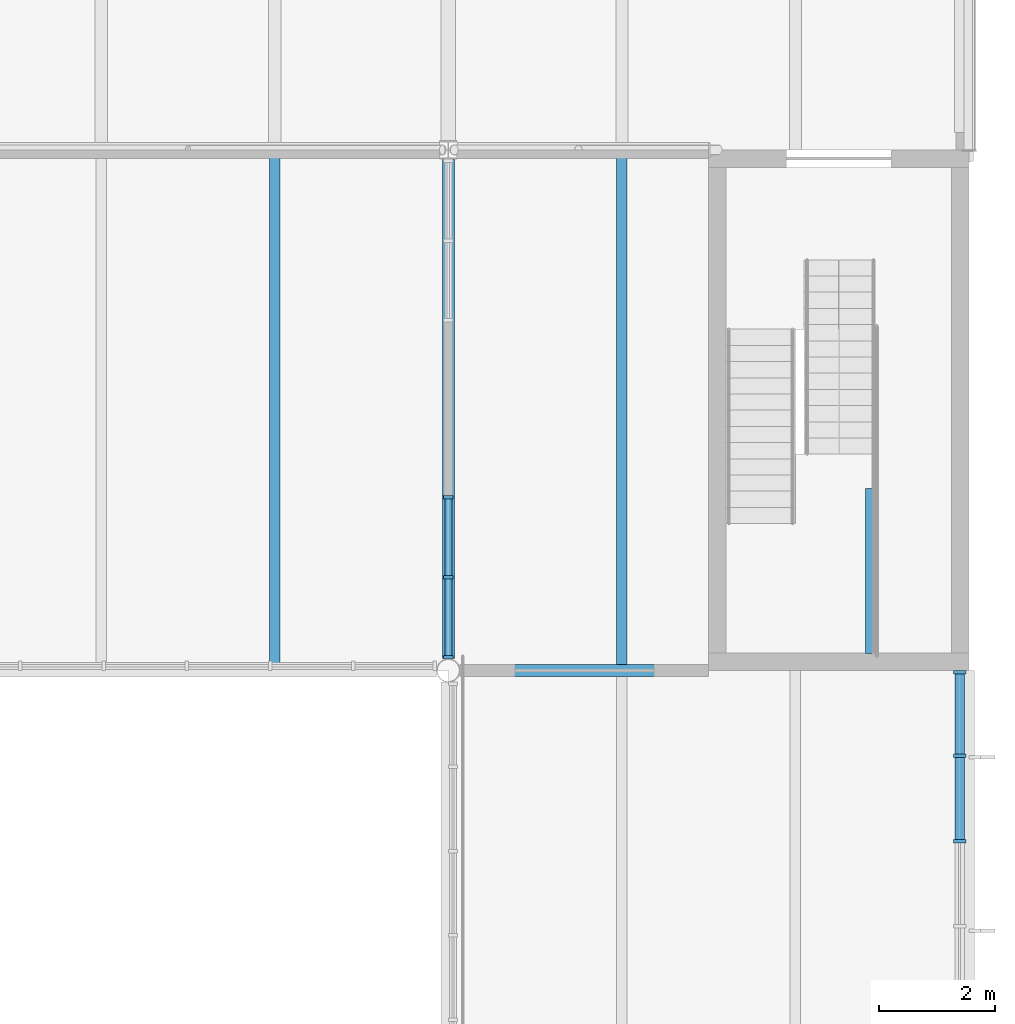
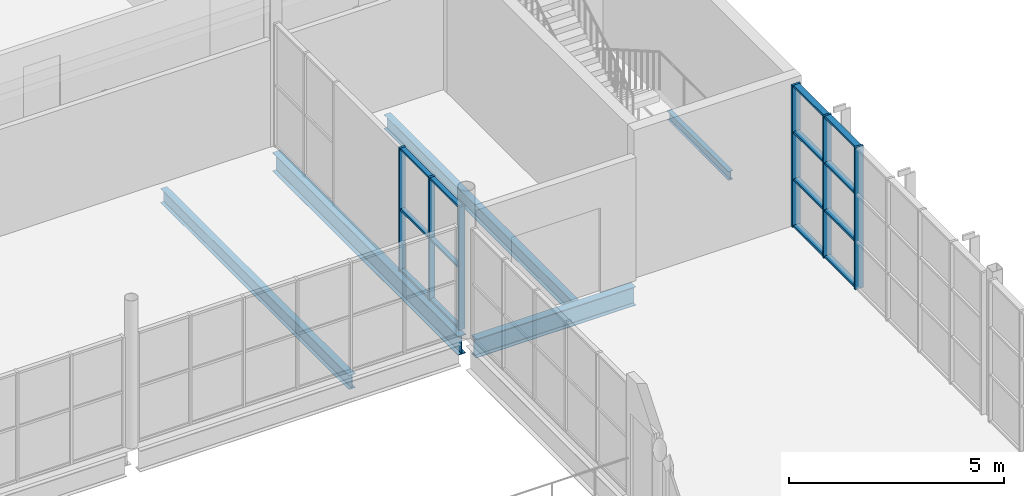
# One storey, part 27 of 61: 20 members, 5 beams, 2 elements without a shape of their own.
"""IFC4 building model written with IfcOpenShell, lengths in metres."""

from ifc_helpers import new_model, si_unit, direction, frame, origin, origin_2d, place, context, subcontext, project, spatial, rectangle, i_section, extrude, material, layer, layer_set, material_profile, profile_set, type_object, element, aggregate, save


model = new_model("IFC4")

# Units and contexts
model_context = context("Model", 3, precision=1e-05, world=origin(), true_north=direction((0.0, 1.0)))
body_context = subcontext(model_context, "Body", "Model", "MODEL_VIEW")
ifc_project = project(units=[si_unit("LENGTHUNIT", "METRE"), si_unit("AREAUNIT", "SQUARE_METRE"), si_unit("VOLUMEUNIT", "CUBIC_METRE"), si_unit("PLANEANGLEUNIT", "RADIAN"), si_unit("MASSUNIT", "GRAM", prefix="KILO")], contexts=[model_context])

# Site, building, storey
site_placement = place(None, origin())
site = spatial("IfcSite", under=ifc_project, at=site_placement, CompositionType="ELEMENT")
building_placement = place(site_placement, origin())
building = spatial("IfcBuilding", under=site, at=building_placement, Name="Halyard Row Museum", CompositionType="ELEMENT")
storey_placement = place(building_placement, frame((0.0, 0.0, 9.199951171875)))
storey = spatial("IfcBuildingStorey", under=building, at=storey_placement, Name="L02", CompositionType="ELEMENT", Elevation=9.199951171875)

# Curtain wall, members
ifc_material_1 = material(Name="Double glazed unit, low-emissivity", Category="glass")
ifc_layer_1 = layer(ifc_material_1, 0.219970703125)
ifc_layer_set_1 = layer_set([ifc_layer_1], Name="Double glazed unit, low-emissivity")
curtain_wall_type_1 = type_object("IfcCurtainWallType", Name="Curtain wall unitised 220 deep", PredefinedType="NOTDEFINED", material=ifc_layer_set_1)
curtain_wall_1_placement = place(storey_placement, origin())
curtain_wall_1 = element("IfcCurtainWall", 1, at=curtain_wall_1_placement, inside=storey, type_object=curtain_wall_type_1, Name="Curtain wall CW032", PredefinedType="NOTDEFINED")
ifc_material_2 = material(Name="Powder-coated aluminium section", Category="aluminium")
ifc_material_profile_1 = material_profile(ifc_material_2, rectangle(XDim=0.219970703125, YDim=0.06005859375, at=origin_2d()), Name="220x60 mullion")
ifc_profile_set_1 = profile_set([ifc_material_profile_1], Name="Powder-coated aluminium section")
member_type_1 = type_object("IfcMemberType", Name="Curtain wall mullion CM3 60 x 220", PredefinedType="MULLION", material=ifc_profile_set_1)
member_1_placement = place(storey_placement, frame((107.840087890625, 24.050048828125, 0.0), z_axis=(0.0, 0.0, 1.0), x_axis=(-1.0, 0.0, 0.0)))
member_1 = element("IfcMember", 2, at=member_1_placement, type_object=member_type_1, Name="CW032 mullion 5", PredefinedType="MULLION", context=body_context, shape_type="SweptSolid", body=[
    extrude(rectangle(XDim=0.219970703125, YDim=0.06005859375, at=origin_2d()), origin(), (0.0, 0.0, 1.0), 4.03515625),
])
member_2_placement = place(storey_placement, frame((107.840087890625, 25.52490234375, 0.0), z_axis=(0.0, 0.0, 1.0), x_axis=(-1.0, 0.0, 0.0)))
member_2 = element("IfcMember", 3, at=member_2_placement, type_object=member_type_1, Name="CW032 mullion 6", PredefinedType="MULLION", context=body_context, shape_type="SweptSolid", body=[
    extrude(rectangle(XDim=0.219970703125, YDim=0.06005859375, at=origin_2d()), origin(), (0.0, 0.0, 1.0), 4.03515625),
])
member_3_placement = place(storey_placement, frame((107.840087890625, 26.969970703125, 0.0), z_axis=(0.0, 0.0, 1.0), x_axis=(-1.0, 0.0, 0.0)))
member_3 = element("IfcMember", 4, at=member_3_placement, type_object=member_type_1, Name="CW032 mullion 7", PredefinedType="MULLION", context=body_context, shape_type="SweptSolid", body=[
    extrude(rectangle(XDim=0.219970703125, YDim=0.06005859375, at=origin_2d()), origin(), (0.0, 0.0, 1.0), 4.03515625),
])

ifc_material_3 = material(Name="Fire-resisting laminated glazing", Category="glass")
ifc_layer_2 = layer(ifc_material_3, 0.159912109375)
ifc_layer_set_2 = layer_set([ifc_layer_2], Name="Fire-resisting laminated glazing")
curtain_wall_type_2 = type_object("IfcCurtainWallType", Name="Curtain wall atrium screen 160 deep", PredefinedType="NOTDEFINED", material=ifc_layer_set_2)
curtain_wall_2_placement = place(storey_placement, origin())
curtain_wall_2 = element("IfcCurtainWall", 5, at=curtain_wall_2_placement, inside=storey, type_object=curtain_wall_type_2, Name="Curtain wall CW174", PredefinedType="NOTDEFINED")
ifc_material_4 = material(Name="Powder-coated aluminium section", Category="aluminium")
ifc_material_profile_2 = material_profile(ifc_material_4, rectangle(XDim=0.159912109375, YDim=0.06005859375, at=origin_2d()), Name="160x60 mullion")
ifc_profile_set_2 = profile_set([ifc_material_profile_2], Name="Powder-coated aluminium section")
member_type_2 = type_object("IfcMemberType", Name="Curtain wall mullion CM5 60 x 160", PredefinedType="MULLION", material=ifc_profile_set_2)
member_4_placement = place(storey_placement, frame((99.0, 27.233154296875, 0.0), z_axis=(0.0, 0.0, 1.0), x_axis=(-1.0, 0.0, 0.0)))
member_4 = element("IfcMember", 6, at=member_4_placement, type_object=member_type_2, Name="CW174 mullion 1", PredefinedType="MULLION", context=body_context, shape_type="SweptSolid", body=[
    extrude(rectangle(XDim=0.159912109375, YDim=0.06005859375, at=origin_2d()), origin(), (0.0, 0.0, 1.0), 3.501953125),
])
member_5_placement = place(storey_placement, frame((99.0, 28.6123046875, 0.0), z_axis=(0.0, 0.0, 1.0), x_axis=(-1.0, 0.0, 0.0)))
member_5 = element("IfcMember", 7, at=member_5_placement, type_object=member_type_2, Name="CW174 mullion 2", PredefinedType="MULLION", context=body_context, shape_type="SweptSolid", body=[
    extrude(rectangle(XDim=0.159912109375, YDim=0.06005859375, at=origin_2d()), origin(), (0.0, 0.0, 1.0), 3.501953125),
])
member_6_placement = place(storey_placement, frame((99.0, 29.991455078125, 0.0), z_axis=(0.0, 0.0, 1.0), x_axis=(-1.0, 0.0, 0.0)))
member_6 = element("IfcMember", 8, at=member_6_placement, type_object=member_type_2, Name="CW174 mullion 3", PredefinedType="MULLION", context=body_context, shape_type="SweptSolid", body=[
    extrude(rectangle(XDim=0.159912109375, YDim=0.06005859375, at=origin_2d()), origin(), (0.0, 0.0, 1.0), 3.501953125),
])

# Member
ifc_material_5 = material(Name="Powder-coated aluminium section", Category="aluminium")
ifc_material_profile_3 = material_profile(ifc_material_5, rectangle(XDim=0.159912109375, YDim=0.06005859375, at=origin_2d()), Name="160x60 transom")
ifc_profile_set_3 = profile_set([ifc_material_profile_3], Name="Powder-coated aluminium section")
member_type_3 = type_object("IfcMemberType", Name="Curtain wall transom CT3 60 x 160", PredefinedType="USERDEFINED", material=ifc_profile_set_3)
member_7_placement = place(storey_placement, frame((107.840087890625, 24.080078125, 0.030029296875), z_axis=(0.0, 1.0, 0.0), x_axis=(-1.0, 0.0, 0.0)))
member_7 = element("IfcMember", 9, at=member_7_placement, type_object=member_type_3, Name="CW032 transom 5.1", ObjectType="TRANSOM", PredefinedType="USERDEFINED", context=body_context, shape_type="SweptSolid", body=[
    extrude(rectangle(XDim=0.159912109375, YDim=0.06005859375, at=origin_2d()), origin(), (0.0, 0.0, 1.0), 1.4150390625),
])

member_8_placement = place(storey_placement, frame((107.840087890625, 24.080078125, 1.344970703125), z_axis=(0.0, 1.0, 0.0), x_axis=(-1.0, 0.0, 0.0)))
member_8 = element("IfcMember", 10, at=member_8_placement, type_object=member_type_3, Name="CW032 transom 5.2", ObjectType="TRANSOM", PredefinedType="USERDEFINED", context=body_context, shape_type="SweptSolid", body=[
    extrude(rectangle(XDim=0.159912109375, YDim=0.06005859375, at=origin_2d()), origin(), (0.0, 0.0, 1.0), 1.4150390625),
])

member_9_placement = place(storey_placement, frame((107.840087890625, 24.080078125, 2.68994140625), z_axis=(0.0, 1.0, 0.0), x_axis=(-1.0, 0.0, 0.0)))
member_9 = element("IfcMember", 11, at=member_9_placement, type_object=member_type_3, Name="CW032 transom 5.3", ObjectType="TRANSOM", PredefinedType="USERDEFINED", context=body_context, shape_type="SweptSolid", body=[
    extrude(rectangle(XDim=0.159912109375, YDim=0.06005859375, at=origin_2d()), origin(), (0.0, 0.0, 1.0), 1.4150390625),
])

member_10_placement = place(storey_placement, frame((107.840087890625, 24.080078125, 4.005126953125), z_axis=(0.0, 1.0, 0.0), x_axis=(-1.0, 0.0, 0.0)))
member_10 = element("IfcMember", 12, at=member_10_placement, type_object=member_type_3, Name="CW032 transom 5.4", ObjectType="TRANSOM", PredefinedType="USERDEFINED", context=body_context, shape_type="SweptSolid", body=[
    extrude(rectangle(XDim=0.159912109375, YDim=0.06005859375, at=origin_2d()), origin(), (0.0, 0.0, 1.0), 1.4150390625),
])

member_11_placement = place(storey_placement, frame((107.840087890625, 25.554931640625, 0.030029296875), z_axis=(0.0, 1.0, 0.0), x_axis=(-1.0, 0.0, 0.0)))
member_11 = element("IfcMember", 13, at=member_11_placement, type_object=member_type_3, Name="CW032 transom 6.1", ObjectType="TRANSOM", PredefinedType="USERDEFINED", context=body_context, shape_type="SweptSolid", body=[
    extrude(rectangle(XDim=0.159912109375, YDim=0.06005859375, at=origin_2d()), origin(), (0.0, 0.0, 1.0), 1.385009765625),
])

member_12_placement = place(storey_placement, frame((107.840087890625, 25.554931640625, 1.344970703125), z_axis=(0.0, 1.0, 0.0), x_axis=(-1.0, 0.0, 0.0)))
member_12 = element("IfcMember", 14, at=member_12_placement, type_object=member_type_3, Name="CW032 transom 6.2", ObjectType="TRANSOM", PredefinedType="USERDEFINED", context=body_context, shape_type="SweptSolid", body=[
    extrude(rectangle(XDim=0.159912109375, YDim=0.06005859375, at=origin_2d()), origin(), (0.0, 0.0, 1.0), 1.385009765625),
])

member_13_placement = place(storey_placement, frame((107.840087890625, 25.554931640625, 2.68994140625), z_axis=(0.0, 1.0, 0.0), x_axis=(-1.0, 0.0, 0.0)))
member_13 = element("IfcMember", 15, at=member_13_placement, type_object=member_type_3, Name="CW032 transom 6.3", ObjectType="TRANSOM", PredefinedType="USERDEFINED", context=body_context, shape_type="SweptSolid", body=[
    extrude(rectangle(XDim=0.159912109375, YDim=0.06005859375, at=origin_2d()), origin(), (0.0, 0.0, 1.0), 1.385009765625),
])

member_14_placement = place(storey_placement, frame((107.840087890625, 25.554931640625, 4.005126953125), z_axis=(0.0, 1.0, 0.0), x_axis=(-1.0, 0.0, 0.0)))
member_14 = element("IfcMember", 16, at=member_14_placement, type_object=member_type_3, Name="CW032 transom 6.4", ObjectType="TRANSOM", PredefinedType="USERDEFINED", context=body_context, shape_type="SweptSolid", body=[
    extrude(rectangle(XDim=0.159912109375, YDim=0.06005859375, at=origin_2d()), origin(), (0.0, 0.0, 1.0), 1.385009765625),
])

aggregate(curtain_wall_1, [member_1, member_2, member_3, member_7, member_8, member_9, member_10, member_11, member_12, member_13, member_14])

ifc_material_6 = material(Name="Powder-coated aluminium section", Category="aluminium")
ifc_material_profile_4 = material_profile(ifc_material_6, rectangle(XDim=0.1201171875, YDim=0.06005859375, at=origin_2d()), Name="120x60 transom")
ifc_profile_set_4 = profile_set([ifc_material_profile_4], Name="Powder-coated aluminium section")
member_type_4 = type_object("IfcMemberType", Name="Curtain wall transom CT5 60 x 120", PredefinedType="USERDEFINED", material=ifc_profile_set_4)
member_15_placement = place(storey_placement, frame((99.0, 27.26318359375, 0.030029296875), z_axis=(0.0, 1.0, 0.0), x_axis=(-1.0, 0.0, 0.0)))
member_15 = element("IfcMember", 17, at=member_15_placement, type_object=member_type_4, Name="CW174 transom 1.1", ObjectType="TRANSOM", PredefinedType="USERDEFINED", context=body_context, shape_type="SweptSolid", body=[
    extrude(rectangle(XDim=0.1201171875, YDim=0.06005859375, at=origin_2d()), origin(), (0.0, 0.0, 1.0), 1.319091796875),
])

member_16_placement = place(storey_placement, frame((99.0, 27.26318359375, 1.7509765625), z_axis=(0.0, 1.0, 0.0), x_axis=(-1.0, 0.0, 0.0)))
member_16 = element("IfcMember", 18, at=member_16_placement, type_object=member_type_4, Name="CW174 transom 1.2", ObjectType="TRANSOM", PredefinedType="USERDEFINED", context=body_context, shape_type="SweptSolid", body=[
    extrude(rectangle(XDim=0.1201171875, YDim=0.06005859375, at=origin_2d()), origin(), (0.0, 0.0, 1.0), 1.319091796875),
])

member_17_placement = place(storey_placement, frame((99.0, 27.26318359375, 3.47216796875), z_axis=(0.0, 1.0, 0.0), x_axis=(-1.0, 0.0, 0.0)))
member_17 = element("IfcMember", 19, at=member_17_placement, type_object=member_type_4, Name="CW174 transom 1.3", ObjectType="TRANSOM", PredefinedType="USERDEFINED", context=body_context, shape_type="SweptSolid", body=[
    extrude(rectangle(XDim=0.1201171875, YDim=0.06005859375, at=origin_2d()), origin(), (0.0, 0.0, 1.0), 1.319091796875),
])

member_18_placement = place(storey_placement, frame((99.0, 28.642333984375, 0.030029296875), z_axis=(0.0, 1.0, 0.0), x_axis=(-1.0, 0.0, 0.0)))
member_18 = element("IfcMember", 20, at=member_18_placement, type_object=member_type_4, Name="CW174 transom 2.1", ObjectType="TRANSOM", PredefinedType="USERDEFINED", context=body_context, shape_type="SweptSolid", body=[
    extrude(rectangle(XDim=0.1201171875, YDim=0.06005859375, at=origin_2d()), origin(), (0.0, 0.0, 1.0), 1.319091796875),
])

member_19_placement = place(storey_placement, frame((99.0, 28.642333984375, 1.7509765625), z_axis=(0.0, 1.0, 0.0), x_axis=(-1.0, 0.0, 0.0)))
member_19 = element("IfcMember", 21, at=member_19_placement, type_object=member_type_4, Name="CW174 transom 2.2", ObjectType="TRANSOM", PredefinedType="USERDEFINED", context=body_context, shape_type="SweptSolid", body=[
    extrude(rectangle(XDim=0.1201171875, YDim=0.06005859375, at=origin_2d()), origin(), (0.0, 0.0, 1.0), 1.319091796875),
])

member_20_placement = place(storey_placement, frame((99.0, 28.642333984375, 3.47216796875), z_axis=(0.0, 1.0, 0.0), x_axis=(-1.0, 0.0, 0.0)))
member_20 = element("IfcMember", 22, at=member_20_placement, type_object=member_type_4, Name="CW174 transom 2.3", ObjectType="TRANSOM", PredefinedType="USERDEFINED", context=body_context, shape_type="SweptSolid", body=[
    extrude(rectangle(XDim=0.1201171875, YDim=0.06005859375, at=origin_2d()), origin(), (0.0, 0.0, 1.0), 1.319091796875),
])

aggregate(curtain_wall_2, [member_4, member_5, member_6, member_15, member_16, member_17, member_18, member_19, member_20])

# Beams
ifc_material_7 = material(Name="Steel Grade 300", Category="steel")
ifc_material_profile_5 = material_profile(ifc_material_7, i_section(OverallWidth=0.208984375, OverallDepth=0.532958984375, WebThickness=0.01025390625, FlangeThickness=0.015625, FilletRadius=0.013916015625, at=origin_2d()), Name="530UB92.4")
ifc_profile_set_5 = profile_set([ifc_material_profile_5], Name="Steel Grade 300")
beam_type_1 = type_object("IfcBeamType", Name="Girder beam 530UB92.4", PredefinedType="BEAM", material=ifc_profile_set_5)
beam_1_placement = place(storey_placement, frame((99.203125, 27.0, -0.431396484375), z_axis=(1.0, 0.0, 0.0), x_axis=(0.0, 1.0, 0.0)))
element("IfcBeam", 23, at=beam_1_placement, inside=storey, type_object=beam_type_1, Name="Beam L02-025", PredefinedType="BEAM", context=body_context, shape_type="SweptSolid", body=[
    extrude(i_section(OverallWidth=0.208984375, OverallDepth=0.532958984375, WebThickness=0.01025390625, FlangeThickness=0.015625, FilletRadius=0.013916015625, at=origin_2d()), origin(), (0.0, 0.0, 1.0), 4.296875),
])
beam_2_placement = place(storey_placement, frame((99.0, 27.203125, -0.431396484375), z_axis=(0.0, 1.0, 0.0), x_axis=(-1.0, 0.0, 0.0)))
element("IfcBeam", 24, at=beam_2_placement, inside=storey, type_object=beam_type_1, Name="Beam L02-080", PredefinedType="BEAM", context=body_context, shape_type="SweptSolid", body=[
    extrude(i_section(OverallWidth=0.208984375, OverallDepth=0.532958984375, WebThickness=0.01025390625, FlangeThickness=0.015625, FilletRadius=0.013916015625, at=origin_2d()), origin(), (0.0, 0.0, 1.0), 8.63330078125),
])
ifc_material_8 = material(Name="Steel Grade 300", Category="steel")
ifc_material_profile_6 = material_profile(ifc_material_8, i_section(OverallWidth=0.1240234375, OverallDepth=0.248046875, WebThickness=0.0048828125, FlangeThickness=0.008056640625, FilletRadius=0.011962890625, at=origin_2d()), Name="250UB25.7")
ifc_profile_set_6 = profile_set([ifc_material_profile_6], Name="Steel Grade 300")
beam_type_2 = type_object("IfcBeamType", Name="Landing trimmer 250UB25.7", PredefinedType="BEAM", material=ifc_profile_set_6)
beam_3_placement = place(storey_placement, frame((106.278076171875, 27.297119140625, 1.776123046875), z_axis=(0.0, 1.0, 0.0), x_axis=(-1.0, 0.0, 0.0)))
element("IfcBeam", 25, at=beam_3_placement, inside=storey, type_object=beam_type_2, Name="Landing ledger K2C L02 1", PredefinedType="BEAM", context=body_context, shape_type="SweptSolid", body=[
    extrude(i_section(OverallWidth=0.1240234375, OverallDepth=0.248046875, WebThickness=0.0048828125, FlangeThickness=0.008056640625, FilletRadius=0.011962890625, at=origin_2d()), origin(), (0.0, 0.0, 1.0), 2.852783203125),
])
ifc_material_9 = material(Name="Steel Grade 300", Category="steel")
ifc_material_profile_7 = material_profile(ifc_material_9, i_section(OverallWidth=0.177978515625, OverallDepth=0.406494140625, WebThickness=0.0078125, FlangeThickness=0.0126953125, FilletRadius=0.011474609375, at=origin_2d()), Name="410UB59.7")
ifc_profile_set_7 = profile_set([ifc_material_profile_7], Name="Steel Grade 300")
beam_type_3 = type_object("IfcBeamType", Name="Secondary beam 410UB59.7", PredefinedType="BEAM", material=ifc_profile_set_7)
beam_4_placement = place(storey_placement, frame((102.0, 27.1044921875, -0.3681640625), z_axis=(0.0, 1.0, 0.0), x_axis=(-1.0, 0.0, 0.0)))
element("IfcBeam", 26, at=beam_4_placement, inside=storey, type_object=beam_type_3, Name="Beam L02-128", PredefinedType="BEAM", context=body_context, shape_type="SweptSolid", body=[
    extrude(i_section(OverallWidth=0.177978515625, OverallDepth=0.406494140625, WebThickness=0.0078125, FlangeThickness=0.0126953125, FilletRadius=0.011474609375, at=origin_2d()), origin(), (0.0, 0.0, 1.0), 8.7705078125),
])
beam_5_placement = place(storey_placement, frame((96.0, 27.114013671875, -0.3681640625), z_axis=(0.0, 1.0, 0.0), x_axis=(-1.0, 0.0, 0.0)))
element("IfcBeam", 27, at=beam_5_placement, inside=storey, type_object=beam_type_3, Name="Beam L02-132", PredefinedType="BEAM", context=body_context, shape_type="SweptSolid", body=[
    extrude(i_section(OverallWidth=0.177978515625, OverallDepth=0.406494140625, WebThickness=0.0078125, FlangeThickness=0.0126953125, FilletRadius=0.011474609375, at=origin_2d()), origin(), (0.0, 0.0, 1.0), 8.760986328125),
])

save(model, "model.ifc")
